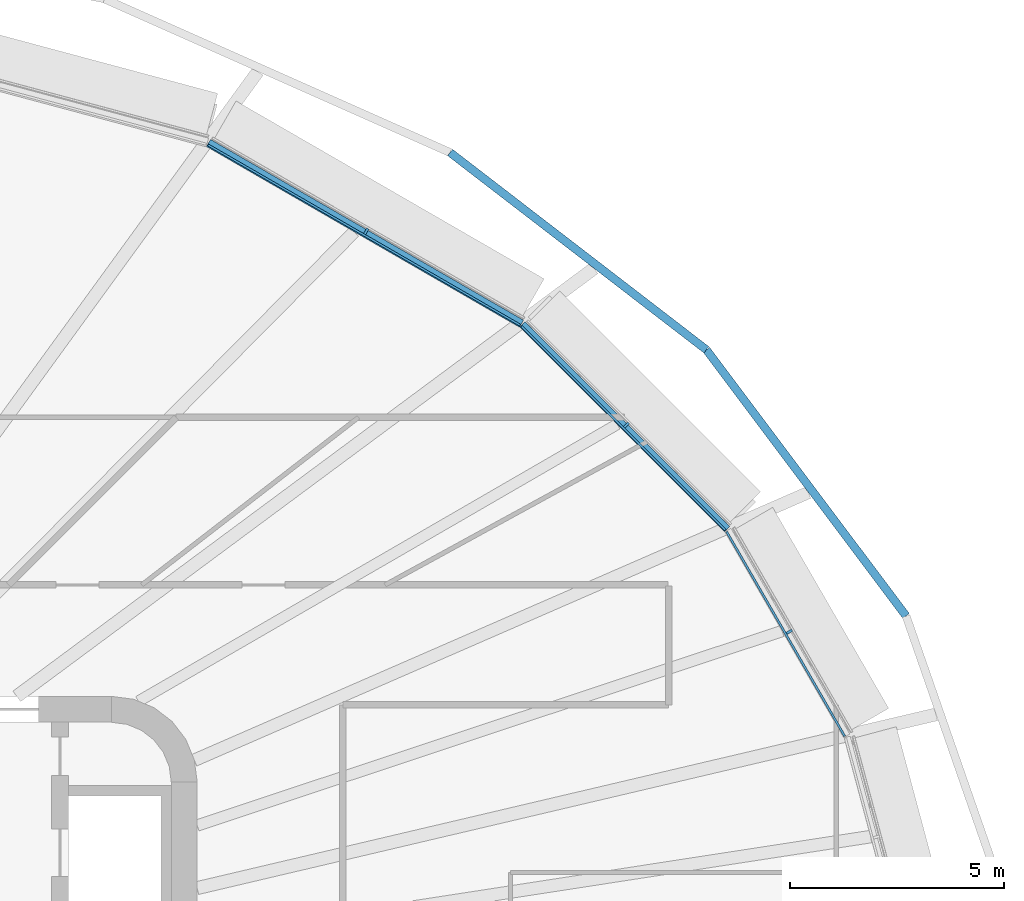
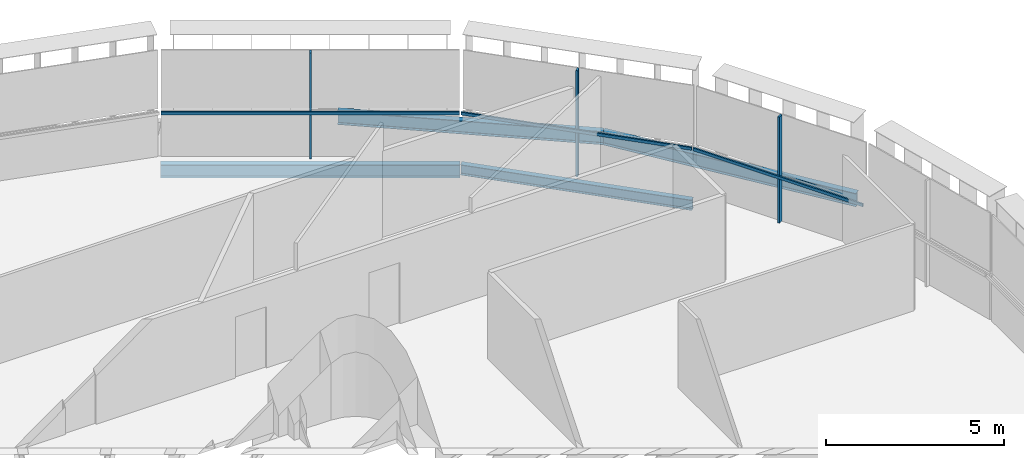
# One storey, part 10 of 25: 6 members, 4 beams, 3 elements without a shape of their own.
"""IFC4 building model written with IfcOpenShell, lengths in metres."""

from ifc_helpers import new_model, si_unit, direction, frame, origin, origin_2d, place, context, subcontext, project, spatial, rectangle, i_section, extrude, material, layer, layer_set, material_profile, profile_set, type_object, element, aggregate, save


model = new_model("IFC4")

# Units and contexts
model_context = context("Model", 3, precision=1e-05, world=origin(), true_north=direction((0.0, 1.0)))
body_context = subcontext(model_context, "Body", "Model", "MODEL_VIEW")
ifc_project = project(units=[si_unit("LENGTHUNIT", "METRE"), si_unit("AREAUNIT", "SQUARE_METRE"), si_unit("VOLUMEUNIT", "CUBIC_METRE"), si_unit("PLANEANGLEUNIT", "RADIAN"), si_unit("MASSUNIT", "GRAM", prefix="KILO")], contexts=[model_context])

# Site, building, storey
site_placement = place(None, origin())
site = spatial("IfcSite", under=ifc_project, at=site_placement, CompositionType="ELEMENT")
building_placement = place(site_placement, origin())
building = spatial("IfcBuilding", under=site, at=building_placement, Name="Sahrelin Media Tower", CompositionType="ELEMENT")
storey_placement = place(building_placement, frame((0.0, 0.0, 139.800048828125)))
storey = spatial("IfcBuildingStorey", under=building, at=storey_placement, Name="L28", CompositionType="ELEMENT", Elevation=139.800048828125)

# Beams
ifc_material_1 = material(Name="Steel S355", Category="steel")
ifc_material_profile_1 = material_profile(ifc_material_1, i_section(OverallWidth=0.17138671875, OverallDepth=0.35498046875, WebThickness=0.00732421875, FlangeThickness=0.011474609375, FilletRadius=0.01025390625, at=origin_2d()), Name="UB 356x171x51")
ifc_profile_set_1 = profile_set([ifc_material_profile_1], Name="Steel S355")
beam_type_1 = type_object("IfcBeamType", Name="Edge beam EB3", PredefinedType="BEAM", material=ifc_profile_set_1)
beam_1_placement = place(storey_placement, frame((22.59033203125, 16.677978515625, -0.32763671875), z_axis=(0.707106781187, -0.707106781187, 0.0), x_axis=(0.707106781187, 0.707106781187, 0.0)))
element("IfcBeam", 1, at=beam_1_placement, inside=storey, type_object=beam_type_1, Name="Edge beam L28-22", PredefinedType="BEAM", context=body_context, shape_type="SweptSolid", body=[
    extrude(i_section(OverallWidth=0.17138671875, OverallDepth=0.35498046875, WebThickness=0.00732421875, FlangeThickness=0.011474609375, FilletRadius=0.01025390625, at=origin_2d()), origin(), (0.0, 0.0, 1.0), 6.751953125),
])
ifc_material_profile_2 = material_profile(ifc_material_1, i_section(OverallWidth=0.1904296875, OverallDepth=0.45703125, WebThickness=0.009033203125, FlangeThickness=0.014404296875, FilletRadius=0.01025390625, at=origin_2d()), Name="UB 457x191x74")
ifc_profile_set_2 = profile_set([ifc_material_profile_2], Name="Steel S355")
beam_type_2 = type_object("IfcBeamType", Name="Edge beam EB5", PredefinedType="BEAM", material=ifc_profile_set_2)
beam_2_placement = place(storey_placement, frame((15.264404296875, 20.911865234375, -0.378662109375), z_axis=(0.866028896434, -0.499993950504, 0.0), x_axis=(0.499993950504, 0.866028896434, 0.0)))
element("IfcBeam", 2, at=beam_2_placement, inside=storey, type_object=beam_type_2, Name="Edge beam L28-21", PredefinedType="BEAM", context=body_context, shape_type="SweptSolid", body=[
    extrude(i_section(OverallWidth=0.1904296875, OverallDepth=0.45703125, WebThickness=0.009033203125, FlangeThickness=0.014404296875, FilletRadius=0.01025390625, at=origin_2d()), origin(), (0.0, 0.0, 1.0), 8.4326171875),
])

# Curtain wall, member
ifc_material_2 = material(Name="Champagne anodised aluminium 6063-T6", Category="aluminium")
ifc_layer = layer(ifc_material_2, 0.14990234375)
ifc_layer_set = layer_set([ifc_layer], Name="Tower ribbon curtain wall")
curtain_wall_type = type_object("IfcCurtainWallType", Name="Tower ribbon curtain wall", PredefinedType="NOTDEFINED", material=ifc_layer_set)
curtain_wall_1_placement = place(storey_placement, frame((28.8984375, 9.5546875, 0.0), z_axis=(0.0, 0.0, 1.0), x_axis=(1.0, 0.0, 0.0)))
curtain_wall_1 = element("IfcCurtainWall", 3, at=curtain_wall_1_placement, inside=storey, type_object=curtain_wall_type, Name="L28:CW:L28-02", PredefinedType="NOTDEFINED")
ifc_material_profile_3 = material_profile(ifc_material_2, rectangle(XDim=0.06005859375, YDim=0.14990234375, at=origin_2d()), Name="Mullion 60x150")
ifc_profile_set_3 = profile_set([ifc_material_profile_3], Name="Champagne anodised aluminium 6063-T6")
member_type_1 = type_object("IfcMemberType", Name="Mullion 60x150 CW1", PredefinedType="MULLION", material=ifc_profile_set_3)
member_1_placement = place(storey_placement, frame((28.816162109375, 9.507080078125, 0.0), z_axis=(0.0, 0.0, 1.0), x_axis=(-0.49999395399, 0.866028894422, 0.0)))
member_1 = element("IfcMember", 4, at=member_1_placement, type_object=member_type_1, Name="L28:CWM:L28-02", PredefinedType="MULLION", context=body_context, shape_type="SweptSolid", body=[
    extrude(rectangle(XDim=0.06005859375, YDim=0.14990234375, at=origin_2d()), origin(), (0.0, 0.0, 1.0), 3.6484375),
])

curtain_wall_2_placement = place(storey_placement, frame((25.08349609375, 14.396728515625, 0.0), z_axis=(0.0, 0.0, 1.0), x_axis=(1.0, 0.0, 0.0)))
curtain_wall_2 = element("IfcCurtainWall", 5, at=curtain_wall_2_placement, inside=storey, type_object=curtain_wall_type, Name="L28:CW:L28-03", PredefinedType="NOTDEFINED")
member_2_placement = place(storey_placement, frame((25.016357421875, 14.32958984375, 0.0), z_axis=(0.0, 0.0, 1.0), x_axis=(-0.707106781187, 0.707106781187, 0.0)))
member_2 = element("IfcMember", 6, at=member_2_placement, type_object=member_type_1, Name="L28:CWM:L28-03", PredefinedType="MULLION", context=body_context, shape_type="SweptSolid", body=[
    extrude(rectangle(XDim=0.06005859375, YDim=0.14990234375, at=origin_2d()), origin(), (0.0, 0.0, 1.0), 3.6484375),
])

curtain_wall_3_placement = place(storey_placement, frame((18.990966796875, 18.93359375, 0.0), z_axis=(0.0, 0.0, 1.0), x_axis=(1.0, 0.0, 0.0)))
curtain_wall_3 = element("IfcCurtainWall", 7, at=curtain_wall_3_placement, inside=storey, type_object=curtain_wall_type, Name="L28:CW:L28-04", PredefinedType="NOTDEFINED")
member_3_placement = place(storey_placement, frame((18.943603515625, 18.851318359375, 0.0), z_axis=(0.0, 0.0, 1.0), x_axis=(-0.866027149108, 0.499996976998, 0.0)))
member_3 = element("IfcMember", 8, at=member_3_placement, type_object=member_type_1, Name="L28:CWM:L28-04", PredefinedType="MULLION", context=body_context, shape_type="SweptSolid", body=[
    extrude(rectangle(XDim=0.06005859375, YDim=0.14990234375, at=origin_2d()), origin(), (0.0, 0.0, 1.0), 3.6484375),
])

# Beams
ifc_material_profile_4 = material_profile(ifc_material_1, i_section(OverallWidth=0.1904296875, OverallDepth=0.45703125, WebThickness=0.009033203125, FlangeThickness=0.014404296875, FilletRadius=0.01025390625, at=origin_2d()), Name="UB 457x191x74")
ifc_profile_set_4 = profile_set([ifc_material_profile_4], Name="Steel S355")
beam_type_3 = type_object("IfcBeamType", Name="Tie chord TC5", PredefinedType="BEAM", material=ifc_profile_set_4)
beam_3_placement = place(storey_placement, frame((31.54052734375, 9.87548828125, -0.378662109375), z_axis=(-0.600060372232, 0.799954717266, 0.0), x_axis=(-0.799954717266, -0.600060372232, 0.0)))
element("IfcBeam", 9, at=beam_3_placement, inside=storey, type_object=beam_type_3, Name="Tie chord L28-02", PredefinedType="BEAM", context=body_context, shape_type="SweptSolid", body=[
    extrude(i_section(OverallWidth=0.1904296875, OverallDepth=0.45703125, WebThickness=0.009033203125, FlangeThickness=0.014404296875, FilletRadius=0.01025390625, at=origin_2d()), origin(), (0.0, 0.0, 1.0), 7.76416015625),
])
beam_4_placement = place(storey_placement, frame((26.881591796875, 16.08642578125, -0.378662109375), z_axis=(-0.792447216205, 0.609940496711, 0.0), x_axis=(-0.609940496711, -0.792447216205, 0.0)))
element("IfcBeam", 10, at=beam_4_placement, inside=storey, type_object=beam_type_3, Name="Tie chord L28-03", PredefinedType="BEAM", context=body_context, shape_type="SweptSolid", body=[
    extrude(i_section(OverallWidth=0.1904296875, OverallDepth=0.45703125, WebThickness=0.009033203125, FlangeThickness=0.014404296875, FilletRadius=0.01025390625, at=origin_2d()), origin(), (0.0, 0.0, 1.0), 7.548583984375),
])

# Member
ifc_material_profile_5 = material_profile(ifc_material_2, rectangle(XDim=0.050048828125, YDim=0.10009765625, at=origin_2d()), Name="Transom 50x100")
ifc_profile_set_5 = profile_set([ifc_material_profile_5], Name="Champagne anodised aluminium 6063-T6")
member_type_2 = type_object("IfcMemberType", Name="Transom 50x100 CW1", PredefinedType="USERDEFINED", material=ifc_profile_set_5)
member_4_placement = place(storey_placement, frame((30.10791015625, 7.069580078125, 1.599853515625), z_axis=(-0.500006091826, 0.866021886639, 0.0), x_axis=(-0.866021886639, -0.500006091826, 0.0)))
member_4 = element("IfcMember", 11, at=member_4_placement, type_object=member_type_2, Name="L28:CWT:L28-02", ObjectType="TRANSOM", PredefinedType="USERDEFINED", context=body_context, shape_type="SweptSolid", body=[
    extrude(rectangle(XDim=0.050048828125, YDim=0.10009765625, at=origin_2d()), origin(), (0.0, 0.0, 1.0), 5.513671875),
])

aggregate(curtain_wall_1, [member_1, member_4])

member_5_placement = place(storey_placement, frame((27.32177734375, 11.8828125, 1.599853515625), z_axis=(-0.707106781187, 0.707106781187, 0.0), x_axis=(-0.707106781187, -0.707106781187, 0.0)))
member_5 = element("IfcMember", 12, at=member_5_placement, type_object=member_type_2, Name="L28:CWT:L28-03", ObjectType="TRANSOM", PredefinedType="USERDEFINED", context=body_context, shape_type="SweptSolid", body=[
    extrude(rectangle(XDim=0.050048828125, YDim=0.10009765625, at=origin_2d()), origin(), (0.0, 0.0, 1.0), 6.720703125),
])

aggregate(curtain_wall_2, [member_2, member_5])

member_6_placement = place(storey_placement, frame((22.53125, 16.664306640625, 1.599853515625), z_axis=(-0.866020563817, 0.500008382975, 0.0), x_axis=(-0.500008382975, -0.866020563817, 0.0)))
member_6 = element("IfcMember", 13, at=member_6_placement, type_object=member_type_2, Name="L28:CWT:L28-04", ObjectType="TRANSOM", PredefinedType="USERDEFINED", context=body_context, shape_type="SweptSolid", body=[
    extrude(rectangle(XDim=0.050048828125, YDim=0.10009765625, at=origin_2d()), origin(), (0.0, 0.0, 1.0), 8.401123046875),
])

aggregate(curtain_wall_3, [member_3, member_6])

save(model, "model.ifc")
